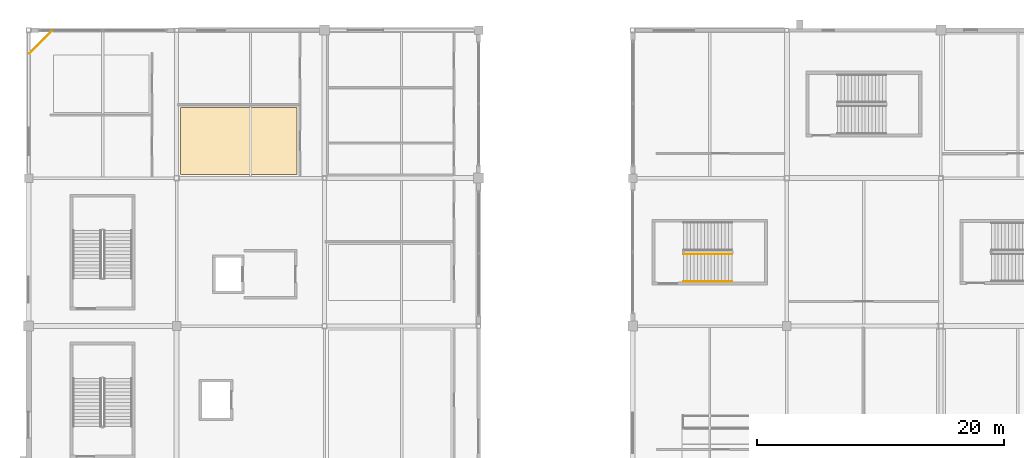
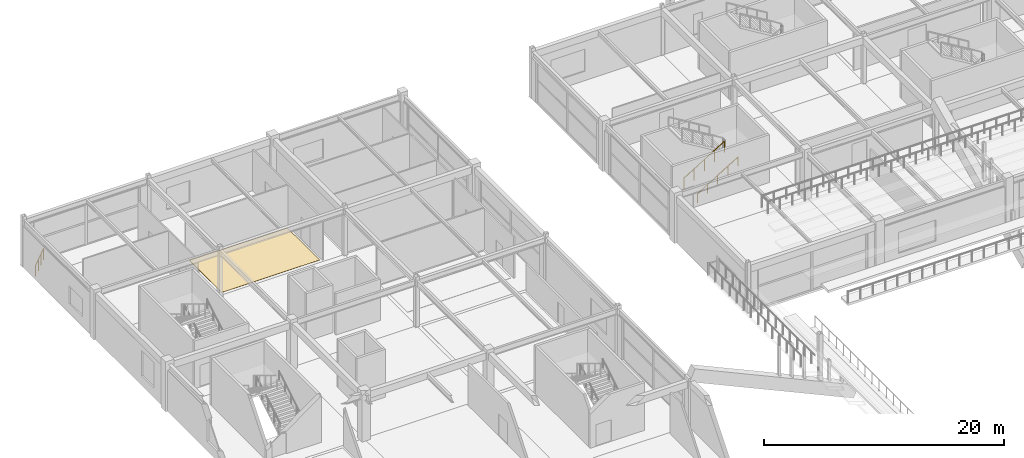
# One storey, part 124 of 128: 3 railings, 1 covering.
"""IFC4 building model written with IfcOpenShell, lengths in metres."""

from ifc_helpers import new_model, si_unit, direction, frame, origin, origin_2d, place, context, subcontext, project, spatial, polyline, circle, outline, extrude, material, layer, layer_set, type_object, element, save


model = new_model("IFC4")

# Units and contexts
model_context = context("Model", 3, precision=1e-05, world=origin(), true_north=direction((0.0, 1.0)))
body_context = subcontext(model_context, "Body", "Model", "MODEL_VIEW")
ifc_project = project(units=[si_unit("LENGTHUNIT", "METRE"), si_unit("AREAUNIT", "SQUARE_METRE"), si_unit("VOLUMEUNIT", "CUBIC_METRE"), si_unit("PLANEANGLEUNIT", "RADIAN"), si_unit("MASSUNIT", "GRAM", prefix="KILO")], contexts=[model_context])

# Site, building, storey
site_placement = place(None, origin())
site = spatial("IfcSite", under=ifc_project, at=site_placement, CompositionType="ELEMENT")
building_placement = place(site_placement, origin())
building = spatial("IfcBuilding", under=site, at=building_placement, Name="Kazenohara Klinker Stadium", CompositionType="ELEMENT")
storey_placement = place(building_placement, frame((0.0, 0.0, 15.300048828125)))
storey = spatial("IfcBuildingStorey", under=building, at=storey_placement, Name="L03", CompositionType="ELEMENT", Elevation=15.300048828125)

# Covering
ifc_material_1 = material(Name="Cushioned EPDM sports rubber flooring", Category="rubber")
ifc_layer_1 = layer(ifc_material_1, 0.014892578125)
ifc_layer_set_1 = layer_set([ifc_layer_1], Name="Cushioned EPDM sports rubber flooring")
covering_type = type_object("IfcCoveringType", Name="COV-FLR-02", PredefinedType="FLOORING", material=ifc_layer_set_1)
covering_placement = place(storey_placement, origin())
element("IfcCovering", 1, at=covering_placement, inside=storey, type_object=covering_type, Name="Interior floor finish FL02 Crowd Safety Monitoring Control Studio L03-0113A", PredefinedType="FLOORING", context=body_context, shape_type="SweptSolid", body=[
    extrude(outline(polyline([(12.330078125, 156.31005859375), (21.77001953125, 156.31005859375), (21.77001953125, 161.711669921875), (12.330078125, 161.711669921875), (12.330078125, 156.31005859375)])), origin(), (0.0, 0.0, 1.0), 0.014892578125),
])

# Railings
ifc_material_2 = material(Name="Galvanised powder-coated steel guardrail", Category="steel")
ifc_layer_2 = layer(ifc_material_2, 0.070068359375)
ifc_layer_set_2 = layer_set([ifc_layer_2], Name="Galvanised powder-coated steel guardrail")
railing_type_1 = type_object("IfcRailingType", Name="RL-GRD-1150", PredefinedType="GUARDRAIL", material=ifc_layer_set_2)
railing_1_placement = place(storey_placement, frame((1.8798828125, 167.919921875, 0.0)))
element("IfcRailing", 2, at=railing_1_placement, inside=storey, type_object=railing_type_1, Name="Corner chamfer slab-edge guardrail GR01-SLB-L03-00-13", PredefinedType="GUARDRAIL", context=body_context, shape_type="SweptSolid", body=[
    extrude(circle(Radius=0.02392578125, at=origin_2d()), frame((0.0, 0.0, 1.1259765625), z_axis=(-0.707106781187, -0.707106781187, 0.0), x_axis=(0.707106781187, -0.707106781187, 0.0)), (0.0, 0.0, 1.0), 2.54541015625),
    extrude(circle(Radius=0.02099609375, at=origin_2d()), origin(), (0.0, 0.0, 1.0), 1.101806640625),
    extrude(circle(Radius=0.02099609375, at=origin_2d()), frame((-0.599853515625, -0.599853515625, 0.0)), (0.0, 0.0, 1.0), 1.101806640625),
    extrude(circle(Radius=0.02099609375, at=origin_2d()), frame((-1.199951171875, -1.199951171875, 0.0)), (0.0, 0.0, 1.0), 1.101806640625),
    extrude(circle(Radius=0.02099609375, at=origin_2d()), frame((-1.7998046875, -1.7998046875, 0.0)), (0.0, 0.0, 1.0), 1.101806640625),
])
ifc_material_3 = material(Name="Brushed stainless steel 304 handrail", Category="steel")
ifc_layer_3 = layer(ifc_material_3, 0.050048828125)
ifc_layer_set_3 = layer_set([ifc_layer_3], Name="Brushed stainless steel 304 handrail")
railing_type_2 = type_object("IfcRailingType", Name="RL-HND-900", PredefinedType="HANDRAIL", material=ifc_layer_set_3)
railing_2_placement = place(storey_placement, frame((53.1298828125, 147.610107421875, 0.169921875)))
element("IfcRailing", 3, at=railing_2_placement, inside=storey, type_object=railing_type_2, Name="L03 ST08 stair handrail 1", PredefinedType="HANDRAIL", context=body_context, shape_type="SweptSolid", body=[
    extrude(circle(Radius=0.02392578125, at=origin_2d()), frame((0.0, 0.0, 0.8759765625), z_axis=(0.854784984964, 0.0, 0.518982301701), x_axis=(0.0, 1.0, 0.0)), (0.0, 0.0, 1.0), 4.586181640625),
    extrude(circle(Radius=0.02099609375, at=origin_2d()), origin(), (0.0, 0.0, 1.0), 0.851806640625),
    extrude(circle(Radius=0.02099609375, at=origin_2d()), frame((0.97998046875, 0.0, 0.594970703125)), (0.0, 0.0, 1.0), 0.851806640625),
    extrude(circle(Radius=0.02099609375, at=origin_2d()), frame((1.9599609375, 0.0, 1.18994140625)), (0.0, 0.0, 1.0), 0.851806640625),
    extrude(circle(Radius=0.02099609375, at=origin_2d()), frame((2.940185546875, 0.0, 1.78515625)), (0.0, 0.0, 1.0), 0.851806640625),
    extrude(circle(Radius=0.02099609375, at=origin_2d()), frame((3.920166015625, 0.0, 2.380126953125)), (0.0, 0.0, 1.0), 0.851806640625),
])
ifc_material_4 = material(Name="Painted steel stairwell guardrail", Category="steel")
ifc_layer_4 = layer(ifc_material_4, 0.06005859375)
ifc_layer_set_4 = layer_set([ifc_layer_4], Name="Painted steel stairwell guardrail")
railing_type_3 = type_object("IfcRailingType", Name="RL-STG-1120", PredefinedType="GUARDRAIL", material=ifc_layer_set_4)
railing_3_placement = place(storey_placement, frame((53.1298828125, 149.85009765625, 0.169921875)))
element("IfcRailing", 4, at=railing_3_placement, inside=storey, type_object=railing_type_3, Name="L03 ST08 stair guard 1", PredefinedType="GUARDRAIL", context=body_context, shape_type="SweptSolid", body=[
    extrude(circle(Radius=0.02392578125, at=origin_2d()), frame((0.0, 0.0, 1.1259765625), z_axis=(0.854784984964, 0.0, 0.518982301701), x_axis=(0.0, 1.0, 0.0)), (0.0, 0.0, 1.0), 4.586181640625),
    extrude(circle(Radius=0.02099609375, at=origin_2d()), origin(), (0.0, 0.0, 1.0), 1.101806640625),
    extrude(circle(Radius=0.02099609375, at=origin_2d()), frame((0.97998046875, 0.0, 0.594970703125)), (0.0, 0.0, 1.0), 1.101806640625),
    extrude(circle(Radius=0.02099609375, at=origin_2d()), frame((1.9599609375, 0.0, 1.18994140625)), (0.0, 0.0, 1.0), 1.101806640625),
    extrude(circle(Radius=0.02099609375, at=origin_2d()), frame((2.940185546875, 0.0, 1.78515625)), (0.0, 0.0, 1.0), 1.101806640625),
    extrude(circle(Radius=0.02099609375, at=origin_2d()), frame((3.920166015625, 0.0, 2.380126953125)), (0.0, 0.0, 1.0), 1.101806640625),
])

save(model, "model.ifc")
